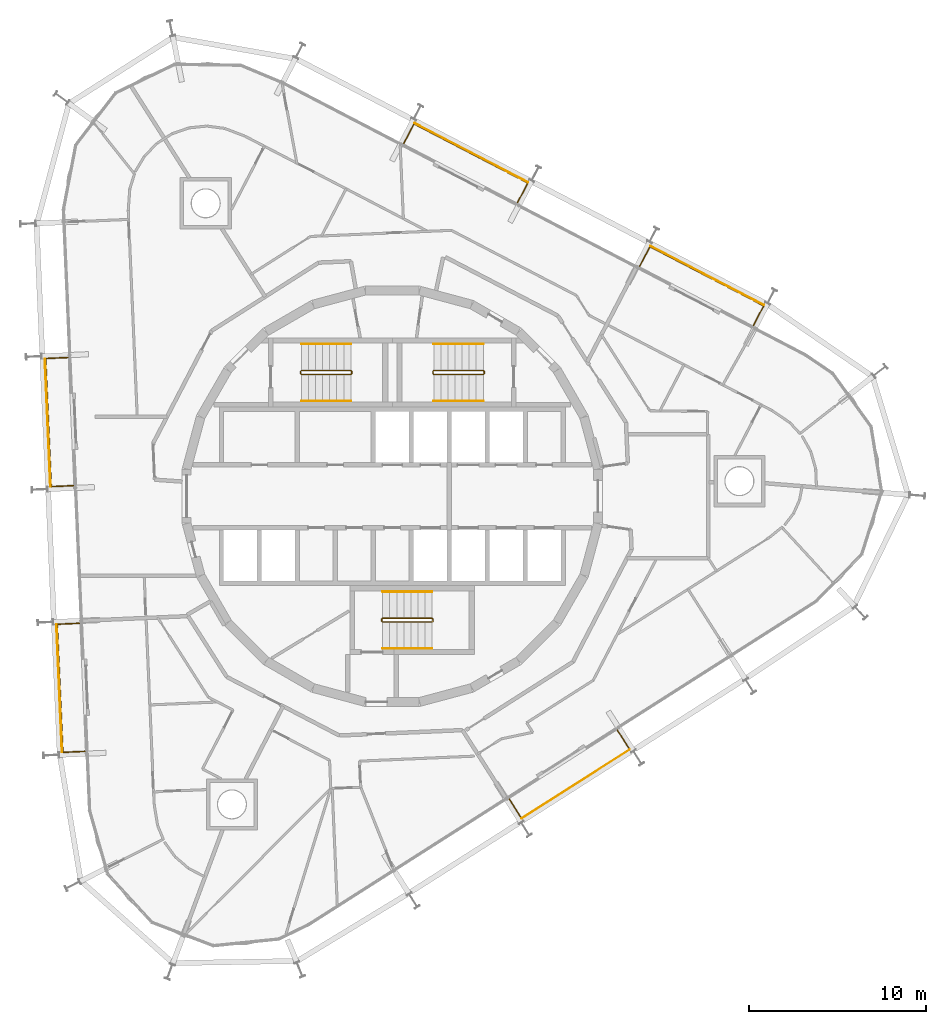
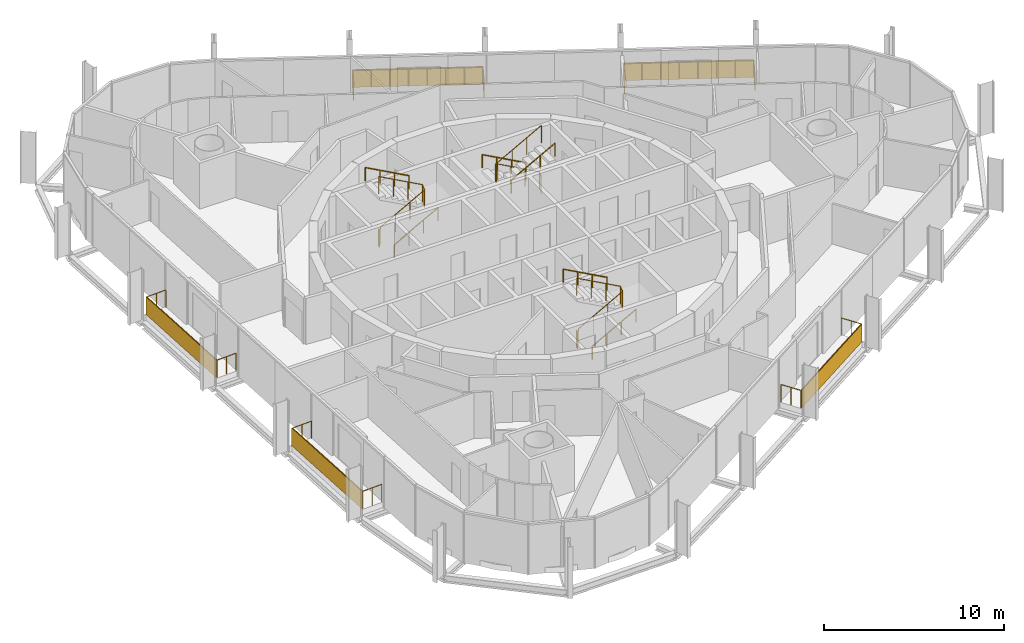
# One storey, part 17 of 17: 14 railings, 5 shading devices.
"""IFC4 building model written with IfcOpenShell, lengths in metres."""

from ifc_helpers import new_model, si_unit, direction, frame, origin, origin_2d, place, context, subcontext, project, spatial, rectangle, circle, extrude, material, layer, layer_set, type_object, element, save


model = new_model("IFC4")

# Units and contexts
model_context = context("Model", 3, precision=1e-05, world=origin(), true_north=direction((0.0, 1.0)))
body_context = subcontext(model_context, "Body", "Model", "MODEL_VIEW")
ifc_project = project(units=[si_unit("LENGTHUNIT", "METRE"), si_unit("AREAUNIT", "SQUARE_METRE"), si_unit("VOLUMEUNIT", "CUBIC_METRE"), si_unit("PLANEANGLEUNIT", "RADIAN"), si_unit("MASSUNIT", "GRAM", prefix="KILO")], contexts=[model_context])

# Site, building, storey
site_placement = place(None, origin())
site = spatial("IfcSite", under=ifc_project, at=site_placement, CompositionType="ELEMENT")
building_placement = place(site_placement, origin())
building = spatial("IfcBuilding", under=site, at=building_placement, Name="Spindle Arch Residences", CompositionType="ELEMENT")
storey_placement = place(building_placement, frame((0.0, 0.0, 244.199951171875)))
storey = spatial("IfcBuildingStorey", under=building, at=storey_placement, Name="L62", CompositionType="ELEMENT", Elevation=244.199951171875)

# Railings
ifc_material_1 = material(Name="Bronze anodised aluminium guard with glass infill", Category="aluminium")
railing_type_1 = type_object("IfcRailingType", Name="Balcony guard 1200", PredefinedType="GUARDRAIL", material=ifc_material_1)
railing_1_placement = place(storey_placement, frame((20.4482421875, 9.675537109375, 0.0)))
element("IfcRailing", 1, at=railing_1_placement, inside=storey, type_object=railing_type_1, Name="Guard L62 bay 6", PredefinedType="GUARDRAIL", context=body_context, shape_type="SweptSolid", body=[
    extrude(circle(Radius=0.02392578125, at=origin_2d()), frame((0.0, 0.0, 1.17578125), z_axis=(0.461684760331, 0.887044069975, 0.0), x_axis=(-0.887044069975, 0.461684760331, 0.0)), (0.0, 0.0, 1.0), 1.25),
    extrude(circle(Radius=0.02392578125, at=origin_2d()), frame((0.5771484375, 1.10888671875, 1.17578125), z_axis=(-0.887010793131, 0.461748690165, 0.0), x_axis=(-0.461748690165, -0.887010793131, 0.0)), (0.0, 0.0, 1.0), 7.260009765625),
    extrude(circle(Radius=0.02392578125, at=origin_2d()), frame((-5.862548828125, 4.461181640625, 1.17578125), z_axis=(-0.461764753675, -0.887002430811, 0.0), x_axis=(0.887002430811, -0.461764753675, 0.0)), (0.0, 0.0, 1.0), 1.249755859375),
    extrude(circle(Radius=0.02099609375, at=origin_2d()), origin(), (0.0, 0.0, 1.0), 1.15185546875),
    extrude(circle(Radius=0.02099609375, at=origin_2d()), frame((0.28857421875, 0.554443359375, 0.0)), (0.0, 0.0, 1.0), 1.15185546875),
    extrude(circle(Radius=0.02099609375, at=origin_2d()), frame((0.5771484375, 1.10888671875, 0.0)), (0.0, 0.0, 1.0), 1.15185546875),
    extrude(circle(Radius=0.02099609375, at=origin_2d()), frame((-0.3427734375, 1.587890625, 0.0)), (0.0, 0.0, 1.0), 1.15185546875),
    extrude(circle(Radius=0.02099609375, at=origin_2d()), frame((-1.2626953125, 2.066650390625, 0.0)), (0.0, 0.0, 1.0), 1.15185546875),
    extrude(circle(Radius=0.02099609375, at=origin_2d()), frame((-2.1826171875, 2.545654296875, 0.0)), (0.0, 0.0, 1.0), 1.15185546875),
    extrude(circle(Radius=0.02099609375, at=origin_2d()), frame((-3.102783203125, 3.0244140625, 0.0)), (0.0, 0.0, 1.0), 1.15185546875),
    extrude(circle(Radius=0.02099609375, at=origin_2d()), frame((-4.022705078125, 3.50341796875, 0.0)), (0.0, 0.0, 1.0), 1.15185546875),
    extrude(circle(Radius=0.02099609375, at=origin_2d()), frame((-4.942626953125, 3.982177734375, 0.0)), (0.0, 0.0, 1.0), 1.15185546875),
    extrude(circle(Radius=0.02099609375, at=origin_2d()), frame((-5.862548828125, 4.461181640625, 0.0)), (0.0, 0.0, 1.0), 1.15185546875),
    extrude(circle(Radius=0.02099609375, at=origin_2d()), frame((-6.151123046875, 3.90673828125, 0.0)), (0.0, 0.0, 1.0), 1.15185546875),
    extrude(circle(Radius=0.02099609375, at=origin_2d()), frame((-6.439697265625, 3.3525390625, 0.0)), (0.0, 0.0, 1.0), 1.15185546875),
])
railing_2_placement = place(storey_placement, frame((7.08984375, 16.629638671875, 0.0)))
element("IfcRailing", 2, at=railing_2_placement, inside=storey, type_object=railing_type_1, Name="Guard L62 bay 8", PredefinedType="GUARDRAIL", context=body_context, shape_type="SweptSolid", body=[
    extrude(circle(Radius=0.02392578125, at=origin_2d()), frame((0.0, 0.0, 1.17578125), z_axis=(0.461764753675, 0.887002430811, 0.0), x_axis=(-0.887002430811, 0.461764753675, 0.0)), (0.0, 0.0, 1.0), 1.249755859375),
    extrude(circle(Radius=0.02392578125, at=origin_2d()), frame((0.5771484375, 1.108642578125, 1.17578125), z_axis=(-0.886997019648, 0.461775147811, 0.0), x_axis=(-0.461775147811, -0.886997019648, 0.0)), (0.0, 0.0, 1.0), 7.260009765625),
    extrude(circle(Radius=0.02392578125, at=origin_2d()), frame((-5.862548828125, 4.461181640625, 1.17578125), z_axis=(-0.461838409324, -0.886964082516, 0.0), x_axis=(0.886964082516, -0.461838409324, 0.0)), (0.0, 0.0, 1.0), 1.250244140625),
    extrude(circle(Radius=0.02099609375, at=origin_2d()), origin(), (0.0, 0.0, 1.0), 1.15185546875),
    extrude(circle(Radius=0.02099609375, at=origin_2d()), frame((0.28857421875, 0.55419921875, 0.0)), (0.0, 0.0, 1.0), 1.15185546875),
    extrude(circle(Radius=0.02099609375, at=origin_2d()), frame((0.5771484375, 1.108642578125, 0.0)), (0.0, 0.0, 1.0), 1.15185546875),
    extrude(circle(Radius=0.02099609375, at=origin_2d()), frame((-0.3427734375, 1.587646484375, 0.0)), (0.0, 0.0, 1.0), 1.15185546875),
    extrude(circle(Radius=0.02099609375, at=origin_2d()), frame((-1.2626953125, 2.06640625, 0.0)), (0.0, 0.0, 1.0), 1.15185546875),
    extrude(circle(Radius=0.02099609375, at=origin_2d()), frame((-2.1826171875, 2.54541015625, 0.0)), (0.0, 0.0, 1.0), 1.15185546875),
    extrude(circle(Radius=0.02099609375, at=origin_2d()), frame((-3.102783203125, 3.0244140625, 0.0)), (0.0, 0.0, 1.0), 1.15185546875),
    extrude(circle(Radius=0.02099609375, at=origin_2d()), frame((-4.022705078125, 3.50341796875, 0.0)), (0.0, 0.0, 1.0), 1.15185546875),
    extrude(circle(Radius=0.02099609375, at=origin_2d()), frame((-4.942626953125, 3.982177734375, 0.0)), (0.0, 0.0, 1.0), 1.15185546875),
    extrude(circle(Radius=0.02099609375, at=origin_2d()), frame((-5.862548828125, 4.461181640625, 0.0)), (0.0, 0.0, 1.0), 1.15185546875),
    extrude(circle(Radius=0.02099609375, at=origin_2d()), frame((-6.1513671875, 3.90673828125, 0.0)), (0.0, 0.0, 1.0), 1.15185546875),
    extrude(circle(Radius=0.02099609375, at=origin_2d()), frame((-6.43994140625, 3.352294921875, 0.0)), (0.0, 0.0, 1.0), 1.15185546875),
])
railing_3_placement = place(storey_placement, frame((-18.384521484375, 7.855712890625, 0.0)))
element("IfcRailing", 3, at=railing_3_placement, inside=storey, type_object=railing_type_1, Name="Guard L62 bay 14", PredefinedType="GUARDRAIL", context=body_context, shape_type="SweptSolid", body=[
    extrude(circle(Radius=0.02392578125, at=origin_2d()), frame((0.0, 0.0, 1.17578125), z_axis=(-0.999042473849, -0.043750833654, 0.0), x_axis=(0.043750833654, -0.999042473849, 0.0)), (0.0, 0.0, 1.0), 1.25),
    extrude(circle(Radius=0.02392578125, at=origin_2d()), frame((-1.248779296875, -0.0546875, 1.17578125), z_axis=(0.043615260597, -0.999048401752, 0.0), x_axis=(0.999048401752, 0.043615260597, 0.0)), (0.0, 0.0, 1.0), 7.260009765625),
    extrude(circle(Radius=0.02392578125, at=origin_2d()), frame((-0.93212890625, -7.307861328125, 1.17578125), z_axis=(0.999042473849, 0.043750833654, 0.0), x_axis=(-0.043750833654, 0.999042473849, 0.0)), (0.0, 0.0, 1.0), 1.25),
    extrude(circle(Radius=0.02099609375, at=origin_2d()), origin(), (0.0, 0.0, 1.0), 1.15185546875),
    extrude(circle(Radius=0.02099609375, at=origin_2d()), frame((-0.62451171875, -0.02734375, 0.0)), (0.0, 0.0, 1.0), 1.15185546875),
    extrude(circle(Radius=0.02099609375, at=origin_2d()), frame((-1.248779296875, -0.0546875, 0.0)), (0.0, 0.0, 1.0), 1.15185546875),
    extrude(circle(Radius=0.02099609375, at=origin_2d()), frame((-1.20361328125, -1.0908203125, 0.0)), (0.0, 0.0, 1.0), 1.15185546875),
    extrude(circle(Radius=0.02099609375, at=origin_2d()), frame((-1.158203125, -2.126953125, 0.0)), (0.0, 0.0, 1.0), 1.15185546875),
    extrude(circle(Radius=0.02099609375, at=origin_2d()), frame((-1.113037109375, -3.1630859375, 0.0)), (0.0, 0.0, 1.0), 1.15185546875),
    extrude(circle(Radius=0.02099609375, at=origin_2d()), frame((-1.06787109375, -4.199462890625, 0.0)), (0.0, 0.0, 1.0), 1.15185546875),
    extrude(circle(Radius=0.02099609375, at=origin_2d()), frame((-1.022705078125, -5.235595703125, 0.0)), (0.0, 0.0, 1.0), 1.15185546875),
    extrude(circle(Radius=0.02099609375, at=origin_2d()), frame((-0.977294921875, -6.271728515625, 0.0)), (0.0, 0.0, 1.0), 1.15185546875),
    extrude(circle(Radius=0.02099609375, at=origin_2d()), frame((-0.93212890625, -7.307861328125, 0.0)), (0.0, 0.0, 1.0), 1.15185546875),
    extrude(circle(Radius=0.02099609375, at=origin_2d()), frame((-0.3076171875, -7.280517578125, 0.0)), (0.0, 0.0, 1.0), 1.15185546875),
    extrude(circle(Radius=0.02099609375, at=origin_2d()), frame((0.316650390625, -7.253173828125, 0.0)), (0.0, 0.0, 1.0), 1.15185546875),
])
railing_4_placement = place(storey_placement, frame((-17.7275390625, -7.190185546875, 0.0)))
element("IfcRailing", 4, at=railing_4_placement, inside=storey, type_object=railing_type_1, Name="Guard L62 bay 16", PredefinedType="GUARDRAIL", context=body_context, shape_type="SweptSolid", body=[
    extrude(circle(Radius=0.02392578125, at=origin_2d()), frame((0.0, 0.0, 1.17578125), z_axis=(-0.999050991967, -0.043555888799, 0.0), x_axis=(0.043555888799, -0.999050991967, 0.0)), (0.0, 0.0, 1.0), 1.25),
    extrude(circle(Radius=0.02392578125, at=origin_2d()), frame((-1.248779296875, -0.054443359375, 1.17578125), z_axis=(0.043615260597, -0.999048401752, 0.0), x_axis=(0.999048401752, 0.043615260597, 0.0)), (0.0, 0.0, 1.0), 7.260009765625),
    extrude(circle(Radius=0.02392578125, at=origin_2d()), frame((-0.93212890625, -7.3076171875, 1.17578125), z_axis=(0.999050991967, 0.043555888799, 0.0), x_axis=(-0.043555888799, 0.999050991967, 0.0)), (0.0, 0.0, 1.0), 1.25),
    extrude(circle(Radius=0.02099609375, at=origin_2d()), origin(), (0.0, 0.0, 1.0), 1.15185546875),
    extrude(circle(Radius=0.02099609375, at=origin_2d()), frame((-0.62451171875, -0.02734375, 0.0)), (0.0, 0.0, 1.0), 1.15185546875),
    extrude(circle(Radius=0.02099609375, at=origin_2d()), frame((-1.248779296875, -0.054443359375, 0.0)), (0.0, 0.0, 1.0), 1.15185546875),
    extrude(circle(Radius=0.02099609375, at=origin_2d()), frame((-1.20361328125, -1.090576171875, 0.0)), (0.0, 0.0, 1.0), 1.15185546875),
    extrude(circle(Radius=0.02099609375, at=origin_2d()), frame((-1.158203125, -2.126708984375, 0.0)), (0.0, 0.0, 1.0), 1.15185546875),
    extrude(circle(Radius=0.02099609375, at=origin_2d()), frame((-1.113037109375, -3.162841796875, 0.0)), (0.0, 0.0, 1.0), 1.15185546875),
    extrude(circle(Radius=0.02099609375, at=origin_2d()), frame((-1.06787109375, -4.19921875, 0.0)), (0.0, 0.0, 1.0), 1.15185546875),
    extrude(circle(Radius=0.02099609375, at=origin_2d()), frame((-1.022705078125, -5.2353515625, 0.0)), (0.0, 0.0, 1.0), 1.15185546875),
    extrude(circle(Radius=0.02099609375, at=origin_2d()), frame((-0.977294921875, -6.271484375, 0.0)), (0.0, 0.0, 1.0), 1.15185546875),
    extrude(circle(Radius=0.02099609375, at=origin_2d()), frame((-0.93212890625, -7.3076171875, 0.0)), (0.0, 0.0, 1.0), 1.15185546875),
    extrude(circle(Radius=0.02099609375, at=origin_2d()), frame((-0.3076171875, -7.2802734375, 0.0)), (0.0, 0.0, 1.0), 1.15185546875),
    extrude(circle(Radius=0.02099609375, at=origin_2d()), frame((0.316650390625, -7.253173828125, 0.0)), (0.0, 0.0, 1.0), 1.15185546875),
])
railing_5_placement = place(storey_placement, frame((6.623046875, -17.152099609375, 0.0)))
element("IfcRailing", 5, at=railing_5_placement, inside=storey, type_object=railing_type_1, Name="Guard L62 bay 22", PredefinedType="GUARDRAIL", context=body_context, shape_type="SweptSolid", body=[
    extrude(circle(Radius=0.02392578125, at=origin_2d()), frame((0.0, 0.0, 1.17578125), z_axis=(0.537317754526, -0.843379885148, 0.0), x_axis=(0.843379885148, 0.537317754526, 0.0)), (0.0, 0.0, 1.0), 1.25),
    extrude(circle(Radius=0.02392578125, at=origin_2d()), frame((0.671630859375, -1.05419921875, 1.17578125), z_axis=(0.843387211604, 0.537306254665, 0.0), x_axis=(-0.537306254665, 0.843387211604, 0.0)), (0.0, 0.0, 1.0), 7.260009765625),
    extrude(circle(Radius=0.02392578125, at=origin_2d()), frame((6.794677734375, 2.8466796875, 1.17578125), z_axis=(-0.537317754526, 0.843379885148, 0.0), x_axis=(-0.843379885148, -0.537317754526, 0.0)), (0.0, 0.0, 1.0), 1.25),
    extrude(circle(Radius=0.02099609375, at=origin_2d()), origin(), (0.0, 0.0, 1.0), 1.15185546875),
    extrude(circle(Radius=0.02099609375, at=origin_2d()), frame((0.3359375, -0.527099609375, 0.0)), (0.0, 0.0, 1.0), 1.15185546875),
    extrude(circle(Radius=0.02099609375, at=origin_2d()), frame((0.671630859375, -1.05419921875, 0.0)), (0.0, 0.0, 1.0), 1.15185546875),
    extrude(circle(Radius=0.02099609375, at=origin_2d()), frame((1.54638671875, -0.496826171875, 0.0)), (0.0, 0.0, 1.0), 1.15185546875),
    extrude(circle(Radius=0.02099609375, at=origin_2d()), frame((2.421142578125, 0.060302734375, 0.0)), (0.0, 0.0, 1.0), 1.15185546875),
    extrude(circle(Radius=0.02099609375, at=origin_2d()), frame((3.2958984375, 0.61767578125, 0.0)), (0.0, 0.0, 1.0), 1.15185546875),
    extrude(circle(Radius=0.02099609375, at=origin_2d()), frame((4.17041015625, 1.1748046875, 0.0)), (0.0, 0.0, 1.0), 1.15185546875),
    extrude(circle(Radius=0.02099609375, at=origin_2d()), frame((5.045166015625, 1.732177734375, 0.0)), (0.0, 0.0, 1.0), 1.15185546875),
    extrude(circle(Radius=0.02099609375, at=origin_2d()), frame((5.919921875, 2.289306640625, 0.0)), (0.0, 0.0, 1.0), 1.15185546875),
    extrude(circle(Radius=0.02099609375, at=origin_2d()), frame((6.794677734375, 2.8466796875, 0.0)), (0.0, 0.0, 1.0), 1.15185546875),
    extrude(circle(Radius=0.02099609375, at=origin_2d()), frame((6.458984375, 3.373779296875, 0.0)), (0.0, 0.0, 1.0), 1.15185546875),
    extrude(circle(Radius=0.02099609375, at=origin_2d()), frame((6.123046875, 3.90087890625, 0.0)), (0.0, 0.0, 1.0), 1.15185546875),
])

# Shading devices
ifc_material_2 = material(Name="Bronze perforated cobogo screen")
ifc_layer = layer(ifc_material_2, 0.0390625)
ifc_layer_set = layer_set([ifc_layer], Name="Cobogo screen 1200")
shading_device_type = type_object("IfcShadingDeviceType", Name="Cobogo screen 1200", PredefinedType="USERDEFINED", material=ifc_layer_set)
for number, where, z_axis, x_axis, name in (
    (6, (17.82421875, 12.49658203125, 0.0), (0.0, 0.0, 1.0), (-0.887010833178, 0.461748613235, 0.0), "Cobogo screen L62 bay 6"),
    (7, (4.4658203125, 19.450439453125, 0.0), (0.0, 0.0, 1.0), (-0.887010833178, 0.461748613235, 0.0), "Cobogo screen L62 bay 8"),
    (8, (-19.515380859375, 4.1728515625, 0.0), (0.0, 0.0, 1.0), (0.043619387365, -0.999048221582, 0.0), "Cobogo screen L62 bay 14"),
    (9, (-18.858642578125, -10.873046875, 0.0), (0.0, 0.0, 1.0), (0.043619387365, -0.999048221582, 0.0), "Cobogo screen L62 bay 16"),
    (10, (10.3779296875, -16.2900390625, 0.0), (0.0, 0.0, 1.0), (0.843391445813, 0.537299608347, 0.0), "Cobogo screen L62 bay 22"),
):
    element("IfcShadingDevice", number, at=place(storey_placement, frame(where, z_axis=z_axis, x_axis=x_axis)), inside=storey, type_object=shading_device_type, Name=name, ObjectType="SCREEN", PredefinedType="USERDEFINED", context=body_context, shape_type="SweptSolid", body=[
        extrude(rectangle(XDim=7.260009765625, YDim=0.0390625, at=origin_2d()), origin(), (0.0, 0.0, 1.0), 1.199951171875),
    ])

# Railings
ifc_material_3 = material(Name="Steel, painted", Category="steel")
railing_type_2 = type_object("IfcRailingType", Name="Stair guard 1100", PredefinedType="GUARDRAIL", material=ifc_material_3)
railing_6_placement = place(storey_placement, frame((5.14990234375, 6.89990234375, 3.5)))
element("IfcRailing", 11, at=railing_6_placement, inside=storey, type_object=railing_type_2, Name="L62 ST1 stair guard 1", PredefinedType="GUARDRAIL", context=body_context, shape_type="SweptSolid", body=[
    extrude(circle(Radius=0.02392578125, at=origin_2d()), frame((0.0, 0.0, 1.17578125), z_axis=(-0.877357048833, 0.0, -0.479838106931), x_axis=(0.0, -1.0, 0.0)), (0.0, 0.0, 1.0), 3.191162109375),
    extrude(circle(Radius=0.02392578125, at=origin_2d()), frame((-2.7998046875, 0.0, -0.35546875), z_axis=(-0.217683172539, 0.217683172539, -0.951434744366), x_axis=(-0.707106781187, -0.707106781187, 0.0)), (0.0, 0.0, 1.0), 0.22998046875),
    extrude(circle(Radius=0.02392578125, at=origin_2d()), frame((-2.849853515625, 0.050048828125, -0.57421875), z_axis=(0.0, 1.0, 0.0), x_axis=(-1.0, 0.0, 0.0)), (0.0, 0.0, 1.0), 0.1201171875),
    extrude(circle(Radius=0.02392578125, at=origin_2d()), frame((-2.849853515625, 0.170166015625, -0.57421875), z_axis=(0.707106781187, 0.707106781187, 0.0), x_axis=(-0.707106781187, 0.707106781187, 0.0)), (0.0, 0.0, 1.0), 0.07080078125),
    extrude(circle(Radius=0.02392578125, at=origin_2d()), frame((-2.7998046875, 0.22021484375, -0.57421875), z_axis=(0.877357048833, 0.0, -0.479838106931), x_axis=(0.0, 1.0, 0.0)), (0.0, 0.0, 1.0), 3.191162109375),
    extrude(circle(Radius=0.02392578125, at=origin_2d()), frame((0.0, 0.22021484375, -2.10546875), z_axis=(0.217683172539, -0.217683172539, -0.951434744366), x_axis=(0.707106781187, 0.707106781187, 0.0)), (0.0, 0.0, 1.0), 0.22998046875),
    extrude(circle(Radius=0.02392578125, at=origin_2d()), frame((0.050048828125, 0.170166015625, -2.32421875), z_axis=(0.0, -1.0, 0.0), x_axis=(1.0, 0.0, 0.0)), (0.0, 0.0, 1.0), 0.1201171875),
    extrude(circle(Radius=0.02099609375, at=origin_2d()), origin(), (0.0, 0.0, 1.0), 1.15185546875),
    extrude(circle(Radius=0.02099609375, at=origin_2d()), frame((-0.933349609375, 0.0, -0.510498046875)), (0.0, 0.0, 1.0), 1.15185546875),
    extrude(circle(Radius=0.02099609375, at=origin_2d()), frame((-1.866455078125, 0.0, -1.020751953125)), (0.0, 0.0, 1.0), 1.15185546875),
    extrude(circle(Radius=0.02099609375, at=origin_2d()), frame((-2.7998046875, 0.0, -1.53125)), (0.0, 0.0, 1.0), 1.15185546875),
    extrude(circle(Radius=0.02099609375, at=origin_2d()), frame((-2.849853515625, 0.050048828125, -1.75)), (0.0, 0.0, 1.0), 1.15185546875),
    extrude(circle(Radius=0.02099609375, at=origin_2d()), frame((-2.849853515625, 0.170166015625, -1.75)), (0.0, 0.0, 1.0), 1.15185546875),
    extrude(circle(Radius=0.02099609375, at=origin_2d()), frame((-2.7998046875, 0.22021484375, -1.75)), (0.0, 0.0, 1.0), 1.15185546875),
    extrude(circle(Radius=0.02099609375, at=origin_2d()), frame((-1.866455078125, 0.22021484375, -2.260498046875)), (0.0, 0.0, 1.0), 1.15185546875),
    extrude(circle(Radius=0.02099609375, at=origin_2d()), frame((-0.933349609375, 0.22021484375, -2.770751953125)), (0.0, 0.0, 1.0), 1.15185546875),
    extrude(circle(Radius=0.02099609375, at=origin_2d()), frame((0.0, 0.22021484375, -3.28125)), (0.0, 0.0, 1.0), 1.15185546875),
    extrude(circle(Radius=0.02099609375, at=origin_2d()), frame((0.050048828125, 0.170166015625, -3.5)), (0.0, 0.0, 1.0), 1.15185546875),
    extrude(circle(Radius=0.02099609375, at=origin_2d()), frame((0.050048828125, 0.050048828125, -3.5)), (0.0, 0.0, 1.0), 1.15185546875),
])
railing_7_placement = place(storey_placement, frame((-5.14990234375, 7.1201171875, 3.5)))
element("IfcRailing", 12, at=railing_7_placement, inside=storey, type_object=railing_type_2, Name="L62 ST2 stair guard 1", PredefinedType="GUARDRAIL", context=body_context, shape_type="SweptSolid", body=[
    extrude(circle(Radius=0.02392578125, at=origin_2d()), frame((0.0, 0.0, 1.17578125), z_axis=(0.877357048833, 0.0, -0.479838106931), x_axis=(0.0, 1.0, 0.0)), (0.0, 0.0, 1.0), 3.191162109375),
    extrude(circle(Radius=0.02392578125, at=origin_2d()), frame((2.7998046875, 0.0, -0.35546875), z_axis=(0.217683172539, -0.217683172539, -0.951434744366), x_axis=(0.707106781187, 0.707106781187, 0.0)), (0.0, 0.0, 1.0), 0.22998046875),
    extrude(circle(Radius=0.02392578125, at=origin_2d()), frame((2.849853515625, -0.050048828125, -0.57421875), z_axis=(0.0, -1.0, 0.0), x_axis=(1.0, 0.0, 0.0)), (0.0, 0.0, 1.0), 0.1201171875),
    extrude(circle(Radius=0.02392578125, at=origin_2d()), frame((2.849853515625, -0.170166015625, -0.57421875), z_axis=(-0.707106781187, -0.707106781187, 0.0), x_axis=(0.707106781187, -0.707106781187, 0.0)), (0.0, 0.0, 1.0), 0.07080078125),
    extrude(circle(Radius=0.02392578125, at=origin_2d()), frame((2.7998046875, -0.22021484375, -0.57421875), z_axis=(-0.877357048833, 0.0, -0.479838106931), x_axis=(0.0, -1.0, 0.0)), (0.0, 0.0, 1.0), 3.191162109375),
    extrude(circle(Radius=0.02392578125, at=origin_2d()), frame((0.0, -0.22021484375, -2.10546875), z_axis=(-0.217683172539, 0.217683172539, -0.951434744366), x_axis=(-0.707106781187, -0.707106781187, 0.0)), (0.0, 0.0, 1.0), 0.22998046875),
    extrude(circle(Radius=0.02392578125, at=origin_2d()), frame((-0.050048828125, -0.170166015625, -2.32421875), z_axis=(0.0, 1.0, 0.0), x_axis=(-1.0, 0.0, 0.0)), (0.0, 0.0, 1.0), 0.1201171875),
    extrude(circle(Radius=0.02099609375, at=origin_2d()), origin(), (0.0, 0.0, 1.0), 1.15185546875),
    extrude(circle(Radius=0.02099609375, at=origin_2d()), frame((0.933349609375, 0.0, -0.510498046875)), (0.0, 0.0, 1.0), 1.15185546875),
    extrude(circle(Radius=0.02099609375, at=origin_2d()), frame((1.866455078125, 0.0, -1.020751953125)), (0.0, 0.0, 1.0), 1.15185546875),
    extrude(circle(Radius=0.02099609375, at=origin_2d()), frame((2.7998046875, 0.0, -1.53125)), (0.0, 0.0, 1.0), 1.15185546875),
    extrude(circle(Radius=0.02099609375, at=origin_2d()), frame((2.849853515625, -0.050048828125, -1.75)), (0.0, 0.0, 1.0), 1.15185546875),
    extrude(circle(Radius=0.02099609375, at=origin_2d()), frame((2.849853515625, -0.170166015625, -1.75)), (0.0, 0.0, 1.0), 1.15185546875),
    extrude(circle(Radius=0.02099609375, at=origin_2d()), frame((2.7998046875, -0.22021484375, -1.75)), (0.0, 0.0, 1.0), 1.15185546875),
    extrude(circle(Radius=0.02099609375, at=origin_2d()), frame((1.866455078125, -0.22021484375, -2.260498046875)), (0.0, 0.0, 1.0), 1.15185546875),
    extrude(circle(Radius=0.02099609375, at=origin_2d()), frame((0.933349609375, -0.22021484375, -2.770751953125)), (0.0, 0.0, 1.0), 1.15185546875),
    extrude(circle(Radius=0.02099609375, at=origin_2d()), frame((0.0, -0.22021484375, -3.28125)), (0.0, 0.0, 1.0), 1.15185546875),
    extrude(circle(Radius=0.02099609375, at=origin_2d()), frame((-0.050048828125, -0.170166015625, -3.5)), (0.0, 0.0, 1.0), 1.15185546875),
    extrude(circle(Radius=0.02099609375, at=origin_2d()), frame((-0.050048828125, -0.050048828125, -3.5)), (0.0, 0.0, 1.0), 1.15185546875),
])
railing_8_placement = place(storey_placement, frame((-0.550048828125, -6.89990234375, 3.5)))
element("IfcRailing", 13, at=railing_8_placement, inside=storey, type_object=railing_type_2, Name="L62 ST3 stair guard 1", PredefinedType="GUARDRAIL", context=body_context, shape_type="SweptSolid", body=[
    extrude(circle(Radius=0.02392578125, at=origin_2d()), frame((0.0, 0.0, 1.17578125), z_axis=(0.877374661878, 0.0, -0.479805901063), x_axis=(0.0, 1.0, 0.0)), (0.0, 0.0, 1.0), 3.19140625),
    extrude(circle(Radius=0.02392578125, at=origin_2d()), frame((2.800048828125, 0.0, -0.35546875), z_axis=(0.217683172539, -0.217683172539, -0.951434744366), x_axis=(0.707106781187, 0.707106781187, 0.0)), (0.0, 0.0, 1.0), 0.22998046875),
    extrude(circle(Radius=0.02392578125, at=origin_2d()), frame((2.85009765625, -0.050048828125, -0.57421875), z_axis=(0.0, -1.0, 0.0), x_axis=(1.0, 0.0, 0.0)), (0.0, 0.0, 1.0), 0.1201171875),
    extrude(circle(Radius=0.02392578125, at=origin_2d()), frame((2.85009765625, -0.170166015625, -0.57421875), z_axis=(-0.707106781187, -0.707106781187, 0.0), x_axis=(0.707106781187, -0.707106781187, 0.0)), (0.0, 0.0, 1.0), 0.07080078125),
    extrude(circle(Radius=0.02392578125, at=origin_2d()), frame((2.800048828125, -0.22021484375, -0.57421875), z_axis=(-0.877374661878, 0.0, -0.479805901063), x_axis=(0.0, -1.0, 0.0)), (0.0, 0.0, 1.0), 3.19140625),
    extrude(circle(Radius=0.02392578125, at=origin_2d()), frame((0.0, -0.22021484375, -2.10546875), z_axis=(-0.217683172539, 0.217683172539, -0.951434744366), x_axis=(-0.707106781187, -0.707106781187, 0.0)), (0.0, 0.0, 1.0), 0.22998046875),
    extrude(circle(Radius=0.02392578125, at=origin_2d()), frame((-0.050048828125, -0.170166015625, -2.32421875), z_axis=(0.0, 1.0, 0.0), x_axis=(-1.0, 0.0, 0.0)), (0.0, 0.0, 1.0), 0.1201171875),
    extrude(circle(Radius=0.02099609375, at=origin_2d()), origin(), (0.0, 0.0, 1.0), 1.15185546875),
    extrude(circle(Radius=0.02099609375, at=origin_2d()), frame((0.933349609375, 0.0, -0.510498046875)), (0.0, 0.0, 1.0), 1.15185546875),
    extrude(circle(Radius=0.02099609375, at=origin_2d()), frame((1.86669921875, 0.0, -1.020751953125)), (0.0, 0.0, 1.0), 1.15185546875),
    extrude(circle(Radius=0.02099609375, at=origin_2d()), frame((2.800048828125, 0.0, -1.53125)), (0.0, 0.0, 1.0), 1.15185546875),
    extrude(circle(Radius=0.02099609375, at=origin_2d()), frame((2.85009765625, -0.050048828125, -1.75)), (0.0, 0.0, 1.0), 1.15185546875),
    extrude(circle(Radius=0.02099609375, at=origin_2d()), frame((2.85009765625, -0.170166015625, -1.75)), (0.0, 0.0, 1.0), 1.15185546875),
    extrude(circle(Radius=0.02099609375, at=origin_2d()), frame((2.800048828125, -0.22021484375, -1.75)), (0.0, 0.0, 1.0), 1.15185546875),
    extrude(circle(Radius=0.02099609375, at=origin_2d()), frame((1.86669921875, -0.22021484375, -2.260498046875)), (0.0, 0.0, 1.0), 1.15185546875),
    extrude(circle(Radius=0.02099609375, at=origin_2d()), frame((0.933349609375, -0.22021484375, -2.770751953125)), (0.0, 0.0, 1.0), 1.15185546875),
    extrude(circle(Radius=0.02099609375, at=origin_2d()), frame((0.0, -0.22021484375, -3.28125)), (0.0, 0.0, 1.0), 1.15185546875),
    extrude(circle(Radius=0.02099609375, at=origin_2d()), frame((-0.050048828125, -0.170166015625, -3.5)), (0.0, 0.0, 1.0), 1.15185546875),
    extrude(circle(Radius=0.02099609375, at=origin_2d()), frame((-0.050048828125, -0.050048828125, -3.5)), (0.0, 0.0, 1.0), 1.15185546875),
])
ifc_material_4 = material(Name="Steel, painted", Category="steel")
railing_type_3 = type_object("IfcRailingType", Name="Stair handrail 900", PredefinedType="HANDRAIL", material=ifc_material_4)
railing_9_placement = place(storey_placement, frame((5.14990234375, 8.6201171875, 0.21875)))
element("IfcRailing", 14, at=railing_9_placement, inside=storey, type_object=railing_type_3, Name="L62 ST1 stair handrail 1", PredefinedType="HANDRAIL", context=body_context, shape_type="SweptSolid", body=[
    extrude(circle(Radius=0.02392578125, at=origin_2d()), frame((0.0, 0.0, 0.8759765625), z_axis=(-0.877357048833, 0.0, 0.479838106931), x_axis=(0.0, -1.0, 0.0)), (0.0, 0.0, 1.0), 3.191162109375),
    extrude(circle(Radius=0.02099609375, at=origin_2d()), origin(), (0.0, 0.0, 1.0), 0.851806640625),
    extrude(circle(Radius=0.02099609375, at=origin_2d()), frame((-0.933349609375, 0.0, 0.510498046875)), (0.0, 0.0, 1.0), 0.851806640625),
    extrude(circle(Radius=0.02099609375, at=origin_2d()), frame((-1.866455078125, 0.0, 1.020751953125)), (0.0, 0.0, 1.0), 0.851806640625),
    extrude(circle(Radius=0.02099609375, at=origin_2d()), frame((-2.7998046875, 0.0, 1.53125)), (0.0, 0.0, 1.0), 0.851806640625),
])
for number, where, name in (
    (15, (2.35009765625, 5.39990234375, 1.96875), "L62 ST1 stair handrail 2"),
    (16, (-5.14990234375, 5.39990234375, 0.21875), "L62 ST2 stair handrail 1"),
):
    element("IfcRailing", number, at=place(storey_placement, frame(where)), inside=storey, type_object=railing_type_3, Name=name, PredefinedType="HANDRAIL", context=body_context, shape_type="SweptSolid", body=[
        extrude(circle(Radius=0.02392578125, at=origin_2d()), frame((0.0, 0.0, 0.8759765625), z_axis=(0.877357048833, 0.0, 0.479838106931), x_axis=(0.0, 1.0, 0.0)), (0.0, 0.0, 1.0), 3.191162109375),
        extrude(circle(Radius=0.02099609375, at=origin_2d()), origin(), (0.0, 0.0, 1.0), 0.851806640625),
        extrude(circle(Radius=0.02099609375, at=origin_2d()), frame((0.933349609375, 0.0, 0.510498046875)), (0.0, 0.0, 1.0), 0.851806640625),
        extrude(circle(Radius=0.02099609375, at=origin_2d()), frame((1.866455078125, 0.0, 1.020751953125)), (0.0, 0.0, 1.0), 0.851806640625),
        extrude(circle(Radius=0.02099609375, at=origin_2d()), frame((2.7998046875, 0.0, 1.53125)), (0.0, 0.0, 1.0), 0.851806640625),
    ])
railing_10_placement = place(storey_placement, frame((-2.35009765625, 8.6201171875, 1.96875)))
element("IfcRailing", 17, at=railing_10_placement, inside=storey, type_object=railing_type_3, Name="L62 ST2 stair handrail 2", PredefinedType="HANDRAIL", context=body_context, shape_type="SweptSolid", body=[
    extrude(circle(Radius=0.02392578125, at=origin_2d()), frame((0.0, 0.0, 0.8759765625), z_axis=(-0.877357048833, 0.0, 0.479838106931), x_axis=(0.0, -1.0, 0.0)), (0.0, 0.0, 1.0), 3.191162109375),
    extrude(circle(Radius=0.02099609375, at=origin_2d()), origin(), (0.0, 0.0, 1.0), 0.851806640625),
    extrude(circle(Radius=0.02099609375, at=origin_2d()), frame((-0.933349609375, 0.0, 0.510498046875)), (0.0, 0.0, 1.0), 0.851806640625),
    extrude(circle(Radius=0.02099609375, at=origin_2d()), frame((-1.866455078125, 0.0, 1.020751953125)), (0.0, 0.0, 1.0), 0.851806640625),
    extrude(circle(Radius=0.02099609375, at=origin_2d()), frame((-2.7998046875, 0.0, 1.53125)), (0.0, 0.0, 1.0), 0.851806640625),
])
railing_11_placement = place(storey_placement, frame((-0.550048828125, -8.6201171875, 0.21875)))
element("IfcRailing", 18, at=railing_11_placement, inside=storey, type_object=railing_type_3, Name="L62 ST3 stair handrail 1", PredefinedType="HANDRAIL", context=body_context, shape_type="SweptSolid", body=[
    extrude(circle(Radius=0.02392578125, at=origin_2d()), frame((0.0, 0.0, 0.8759765625), z_axis=(0.877374661878, 0.0, 0.479805901063), x_axis=(0.0, 1.0, 0.0)), (0.0, 0.0, 1.0), 3.19140625),
    extrude(circle(Radius=0.02099609375, at=origin_2d()), origin(), (0.0, 0.0, 1.0), 0.851806640625),
    extrude(circle(Radius=0.02099609375, at=origin_2d()), frame((0.933349609375, 0.0, 0.510498046875)), (0.0, 0.0, 1.0), 0.851806640625),
    extrude(circle(Radius=0.02099609375, at=origin_2d()), frame((1.86669921875, 0.0, 1.020751953125)), (0.0, 0.0, 1.0), 0.851806640625),
    extrude(circle(Radius=0.02099609375, at=origin_2d()), frame((2.800048828125, 0.0, 1.53125)), (0.0, 0.0, 1.0), 0.851806640625),
])
railing_12_placement = place(storey_placement, frame((2.25, -5.39990234375, 1.96875)))
element("IfcRailing", 19, at=railing_12_placement, inside=storey, type_object=railing_type_3, Name="L62 ST3 stair handrail 2", PredefinedType="HANDRAIL", context=body_context, shape_type="SweptSolid", body=[
    extrude(circle(Radius=0.02392578125, at=origin_2d()), frame((0.0, 0.0, 0.8759765625), z_axis=(-0.877374661878, 0.0, 0.479805901063), x_axis=(0.0, -1.0, 0.0)), (0.0, 0.0, 1.0), 3.19140625),
    extrude(circle(Radius=0.02099609375, at=origin_2d()), origin(), (0.0, 0.0, 1.0), 0.851806640625),
    extrude(circle(Radius=0.02099609375, at=origin_2d()), frame((-0.933349609375, 0.0, 0.510498046875)), (0.0, 0.0, 1.0), 0.851806640625),
    extrude(circle(Radius=0.02099609375, at=origin_2d()), frame((-1.86669921875, 0.0, 1.020751953125)), (0.0, 0.0, 1.0), 0.851806640625),
    extrude(circle(Radius=0.02099609375, at=origin_2d()), frame((-2.800048828125, 0.0, 1.53125)), (0.0, 0.0, 1.0), 0.851806640625),
])

save(model, "model.ifc")
